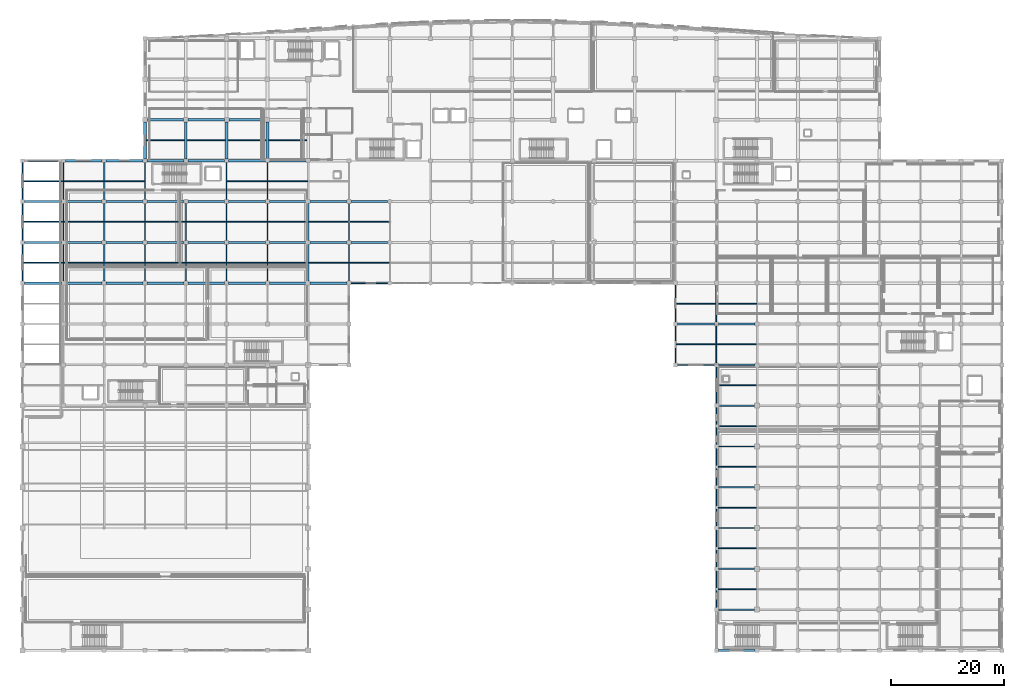
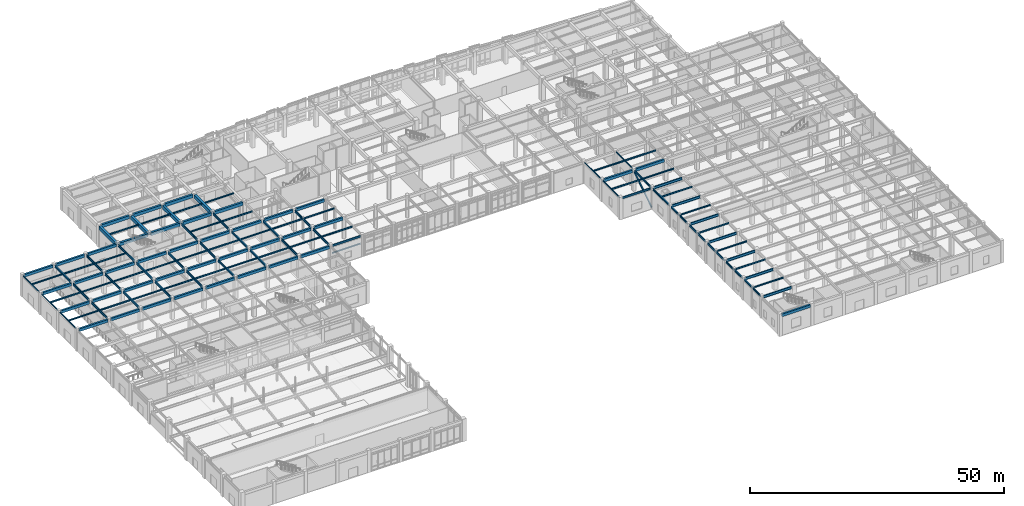
# One storey, part 22 of 102: 124 beams, 1 member.
"""IFC4 building model written with IfcOpenShell, lengths in metres."""

from ifc_helpers import new_model, si_unit, direction, frame, origin, origin_2d, place, context, subcontext, project, spatial, rectangle, hollow_rectangle, i_section, extrude, material, material_profile, profile_set, type_object, element, save


model = new_model("IFC4")

# Units and contexts
model_context = context("Model", 3, precision=1e-05, world=origin(), true_north=direction((0.0, 1.0)))
body_context = subcontext(model_context, "Body", "Model", "MODEL_VIEW")
ifc_project = project(units=[si_unit("LENGTHUNIT", "METRE"), si_unit("AREAUNIT", "SQUARE_METRE"), si_unit("VOLUMEUNIT", "CUBIC_METRE"), si_unit("PLANEANGLEUNIT", "RADIAN"), si_unit("MASSUNIT", "GRAM", prefix="KILO")], contexts=[model_context])

# Site, building, storey
site_placement = place(None, origin())
site = spatial("IfcSite", under=ifc_project, at=site_placement, CompositionType="ELEMENT")
building_placement = place(site_placement, origin())
building = spatial("IfcBuilding", under=site, at=building_placement, Name="Carrowvane Square Congress Hotel", CompositionType="ELEMENT")
storey_placement = place(building_placement, origin())
storey = spatial("IfcBuildingStorey", under=building, at=storey_placement, Name="L00", CompositionType="ELEMENT", Elevation=0.0)

# Beams
ifc_material_1 = material(Name="Steel S355", Category="steel")
ifc_material_profile_1 = material_profile(ifc_material_1, i_section(OverallWidth=0.165771484375, OverallDepth=0.306640625, WebThickness=0.006591796875, FlangeThickness=0.01171875, FilletRadius=0.0087890625, at=origin_2d()), Name="UKB 305x165x46")
ifc_profile_set_1 = profile_set([ifc_material_profile_1], Name="Steel S355")
beam_type_1 = type_object("IfcBeamType", Name="BM-LNT-1", PredefinedType="LINTEL", material=ifc_profile_set_1)
beam_1_placement = place(storey_placement, frame((69.550048828125, 70.199951171875, 3.10009765625), z_axis=(1.0, 0.0, 0.0), x_axis=(0.0, 1.0, 0.0)))
element("IfcBeam", 1, at=beam_1_placement, inside=storey, type_object=beam_type_1, Name="L00 passage portal steel lintel 1", PredefinedType="LINTEL", context=body_context, shape_type="SweptSolid", body=[
    extrude(i_section(OverallWidth=0.165771484375, OverallDepth=0.306640625, WebThickness=0.006591796875, FlangeThickness=0.01171875, FilletRadius=0.0087890625, at=origin_2d()), origin(), (0.0, 0.0, 1.0), 6.5),
])
ifc_material_2 = material(Name="Concrete C35/45", Category="concrete")
ifc_material_profile_2 = material_profile(ifc_material_2, rectangle(XDim=0.39990234375, YDim=0.64990234375, at=origin_2d()), Name="RC 400x650")
ifc_profile_set_2 = profile_set([ifc_material_profile_2], Name="Concrete C35/45")
beam_type_2 = type_object("IfcBeamType", Name="BM-RC-400x650", PredefinedType="BEAM", material=ifc_profile_set_2)
for number, where, z_axis, x_axis, name in (
    (2, (127.14990234375, 63.0, 4.77490234375), (1.0, 0.0, 0.0), (0.0, 1.0, 0.0), "L01 girder J/17-18"),
    (3, (134.35009765625, 63.0, 4.77490234375), (1.0, 0.0, 0.0), (0.0, 1.0, 0.0), "L01 girder J/18-19"),
    (4, (11.949951171875, 70.199951171875, 4.77490234375), (1.0, 0.0, 0.0), (0.0, 1.0, 0.0), "L01 girder K/1-2"),
    (5, (19.14990234375, 70.199951171875, 4.77490234375), (1.0, 0.0, 0.0), (0.0, 1.0, 0.0), "L01 girder K/2-3"),
    (6, (26.35009765625, 70.199951171875, 4.77490234375), (1.0, 0.0, 0.0), (0.0, 1.0, 0.0), "L01 girder K/3-4"),
    (7, (33.550048828125, 70.199951171875, 4.77490234375), (1.0, 0.0, 0.0), (0.0, 1.0, 0.0), "L01 girder K/4-5"),
    (8, (40.75, 70.199951171875, 4.77490234375), (1.0, 0.0, 0.0), (0.0, 1.0, 0.0), "L01 girder K/5-6"),
    (9, (47.949951171875, 70.199951171875, 4.77490234375), (1.0, 0.0, 0.0), (0.0, 1.0, 0.0), "L01 girder K/6-7"),
    (10, (55.14990234375, 70.199951171875, 4.77490234375), (1.0, 0.0, 0.0), (0.0, 1.0, 0.0), "L01 girder K/7-8"),
    (11, (62.35009765625, 70.199951171875, 4.77490234375), (1.0, 0.0, 0.0), (0.0, 1.0, 0.0), "L01 girder K/8-9"),
    (12, (11.949951171875, 77.39990234375, 4.77490234375), (1.0, 0.0, 0.0), (0.0, 1.0, 0.0), "L01 girder L/1-2"),
    (13, (19.14990234375, 77.39990234375, 4.77490234375), (1.0, 0.0, 0.0), (0.0, 1.0, 0.0), "L01 girder L/2-3"),
    (14, (26.35009765625, 77.39990234375, 4.77490234375), (1.0, 0.0, 0.0), (0.0, 1.0, 0.0), "L01 girder L/3-4"),
    (15, (33.550048828125, 77.39990234375, 4.77490234375), (1.0, 0.0, 0.0), (0.0, 1.0, 0.0), "L01 girder L/4-5"),
    (16, (40.75, 77.39990234375, 4.77490234375), (1.0, 0.0, 0.0), (0.0, 1.0, 0.0), "L01 girder L/5-6"),
    (17, (47.949951171875, 77.39990234375, 4.77490234375), (1.0, 0.0, 0.0), (0.0, 1.0, 0.0), "L01 girder L/6-7"),
    (18, (55.14990234375, 77.39990234375, 4.77490234375), (1.0, 0.0, 0.0), (0.0, 1.0, 0.0), "L01 girder L/7-8"),
    (19, (62.35009765625, 77.39990234375, 4.77490234375), (1.0, 0.0, 0.0), (0.0, 1.0, 0.0), "L01 girder L/8-9"),
):
    element("IfcBeam", number, at=place(storey_placement, frame(where, z_axis=z_axis, x_axis=x_axis)), inside=storey, type_object=beam_type_2, Name=name, PredefinedType="BEAM", context=body_context, shape_type="SweptSolid", body=[
        extrude(rectangle(XDim=0.39990234375, YDim=0.64990234375, at=origin_2d()), origin(), (0.0, 0.0, 1.0), 6.5),
    ])
beam_2_placement = place(storey_placement, frame((69.550048828125, 77.39990234375, 4.77490234375), z_axis=(1.0, 0.0, 0.0), x_axis=(0.0, 1.0, 0.0)))
element("IfcBeam", 20, at=beam_2_placement, inside=storey, type_object=beam_type_2, Name="L01 girder L/9-10", PredefinedType="BEAM", context=body_context, shape_type="SweptSolid", body=[
    extrude(rectangle(XDim=0.39990234375, YDim=0.64990234375, at=origin_2d()), origin(), (0.0, 0.0, 1.0), 6.474853515625),
])
for number, where, z_axis, x_axis, name in (
    (21, (11.949951171875, 84.60009765625, 4.77490234375), (1.0, 0.0, 0.0), (0.0, 1.0, 0.0), "L01 girder M/1-2"),
    (22, (19.14990234375, 84.60009765625, 4.77490234375), (1.0, 0.0, 0.0), (0.0, 1.0, 0.0), "L01 girder M/2-3"),
    (23, (26.35009765625, 84.60009765625, 4.77490234375), (1.0, 0.0, 0.0), (0.0, 1.0, 0.0), "L01 girder M/3-4"),
    (24, (33.550048828125, 84.60009765625, 4.77490234375), (1.0, 0.0, 0.0), (0.0, 1.0, 0.0), "L01 girder M/4-5"),
    (25, (40.75, 84.60009765625, 4.77490234375), (1.0, 0.0, 0.0), (0.0, 1.0, 0.0), "L01 girder M/5-6"),
    (26, (47.949951171875, 84.60009765625, 4.77490234375), (1.0, 0.0, 0.0), (0.0, 1.0, 0.0), "L01 girder M/6-7"),
    (27, (55.14990234375, 84.60009765625, 4.77490234375), (1.0, 0.0, 0.0), (0.0, 1.0, 0.0), "L01 girder M/7-8"),
    (28, (62.35009765625, 84.60009765625, 4.77490234375), (1.0, 0.0, 0.0), (0.0, 1.0, 0.0), "L01 girder M/8-9"),
):
    element("IfcBeam", number, at=place(storey_placement, frame(where, z_axis=z_axis, x_axis=x_axis)), inside=storey, type_object=beam_type_2, Name=name, PredefinedType="BEAM", context=body_context, shape_type="SweptSolid", body=[
        extrude(rectangle(XDim=0.39990234375, YDim=0.64990234375, at=origin_2d()), origin(), (0.0, 0.0, 1.0), 6.5),
    ])
beam_3_placement = place(storey_placement, frame((69.550048828125, 84.60009765625, 4.77490234375), z_axis=(1.0, 0.0, 0.0), x_axis=(0.0, 1.0, 0.0)))
element("IfcBeam", 29, at=beam_3_placement, inside=storey, type_object=beam_type_2, Name="L01 girder M/9-10", PredefinedType="BEAM", context=body_context, shape_type="SweptSolid", body=[
    extrude(rectangle(XDim=0.39990234375, YDim=0.64990234375, at=origin_2d()), origin(), (0.0, 0.0, 1.0), 6.474853515625),
])
for number, where, z_axis, x_axis, name in (
    (30, (11.949951171875, 91.800048828125, 4.77490234375), (1.0, 0.0, 0.0), (0.0, 1.0, 0.0), "L01 girder N/1-2"),
    (31, (19.14990234375, 91.800048828125, 4.77490234375), (1.0, 0.0, 0.0), (0.0, 1.0, 0.0), "L01 girder N/2-3"),
    (32, (26.35009765625, 91.800048828125, 4.77490234375), (1.0, 0.0, 0.0), (0.0, 1.0, 0.0), "L01 girder N/3-4"),
):
    element("IfcBeam", number, at=place(storey_placement, frame(where, z_axis=z_axis, x_axis=x_axis)), inside=storey, type_object=beam_type_2, Name=name, PredefinedType="BEAM", context=body_context, shape_type="SweptSolid", body=[
        extrude(rectangle(XDim=0.39990234375, YDim=0.64990234375, at=origin_2d()), origin(), (0.0, 0.0, 1.0), 6.5),
    ])
ifc_material_3 = material(Name="Concrete C35/45", Category="concrete")
ifc_material_profile_3 = material_profile(ifc_material_3, rectangle(XDim=0.449951171875, YDim=0.75, at=origin_2d()), Name="RC 450x750")
ifc_profile_set_3 = profile_set([ifc_material_profile_3], Name="Concrete C35/45")
beam_type_3 = type_object("IfcBeamType", Name="BM-RC-450x750", PredefinedType="USERDEFINED", material=ifc_profile_set_3)
for number, where, z_axis, x_axis, name in (
    (33, (33.550048828125, 91.800048828125, 4.72509765625), (1.0, 0.0, 0.0), (0.0, 1.0, 0.0), "L01 girder N/4-5"),
    (34, (40.75, 91.800048828125, 4.72509765625), (1.0, 0.0, 0.0), (0.0, 1.0, 0.0), "L01 girder N/5-6"),
    (35, (47.949951171875, 91.800048828125, 4.72509765625), (1.0, 0.0, 0.0), (0.0, 1.0, 0.0), "L01 girder N/6-7"),
    (36, (55.14990234375, 91.800048828125, 4.72509765625), (1.0, 0.0, 0.0), (0.0, 1.0, 0.0), "L01 girder N/7-8"),
):
    element("IfcBeam", number, at=place(storey_placement, frame(where, z_axis=z_axis, x_axis=x_axis)), inside=storey, type_object=beam_type_3, Name=name, ObjectType="GIRDER", PredefinedType="USERDEFINED", context=body_context, shape_type="SweptSolid", body=[
        extrude(rectangle(XDim=0.449951171875, YDim=0.75, at=origin_2d()), origin(), (0.0, 0.0, 1.0), 6.5),
    ])
for number, where, z_axis, x_axis, name in (
    (37, (33.60009765625, 99.0, 4.72509765625), (1.0, 0.0, 0.0), (0.0, 1.0, 0.0), "L01 girder P/4-5"),
    (38, (40.800048828125, 99.0, 4.72509765625), (1.0, 0.0, 0.0), (0.0, 1.0, 0.0), "L01 girder P/5-6"),
    (39, (48.0, 99.0, 4.72509765625), (1.0, 0.0, 0.0), (0.0, 1.0, 0.0), "L01 girder P/6-7"),
):
    element("IfcBeam", number, at=place(storey_placement, frame(where, z_axis=z_axis, x_axis=x_axis)), inside=storey, type_object=beam_type_3, Name=name, ObjectType="GIRDER", PredefinedType="USERDEFINED", context=body_context, shape_type="SweptSolid", body=[
        extrude(rectangle(XDim=0.449951171875, YDim=0.75, at=origin_2d()), origin(), (0.0, 0.0, 1.0), 6.39990234375),
    ])
ifc_material_4 = material(Name="Concrete C35/45", Category="concrete")
ifc_material_profile_4 = material_profile(ifc_material_4, rectangle(XDim=0.5, YDim=0.85009765625, at=origin_2d()), Name="RC 500x850")
ifc_profile_set_4 = profile_set([ifc_material_profile_4], Name="Concrete C35/45")
beam_type_4 = type_object("IfcBeamType", Name="BM-RC-500x850", PredefinedType="USERDEFINED", material=ifc_profile_set_4)
for number, where, z_axis, x_axis, name in (
    (40, (33.199951171875, 92.14990234375, 4.675048828125), (0.0, 1.0, 0.0), (-1.0, 0.0, 0.0), "L01 girder 4/N-P"),
    (41, (40.39990234375, 92.14990234375, 4.675048828125), (0.0, 1.0, 0.0), (-1.0, 0.0, 0.0), "L01 girder 5/N-P"),
    (42, (47.60009765625, 92.14990234375, 4.675048828125), (0.0, 1.0, 0.0), (-1.0, 0.0, 0.0), "L01 girder 6/N-P"),
    (43, (54.800048828125, 92.14990234375, 4.675048828125), (0.0, 1.0, 0.0), (-1.0, 0.0, 0.0), "L01 girder 7/N-P"),
):
    element("IfcBeam", number, at=place(storey_placement, frame(where, z_axis=z_axis, x_axis=x_axis)), inside=storey, type_object=beam_type_4, Name=name, ObjectType="GIRDER", PredefinedType="USERDEFINED", context=body_context, shape_type="SweptSolid", body=[
        extrude(rectangle(XDim=0.5, YDim=0.85009765625, at=origin_2d()), origin(), (0.0, 0.0, 1.0), 6.4501953125),
    ])
ifc_material_5 = material(Name="Steel S355", Category="steel")
ifc_material_profile_5 = material_profile(ifc_material_5, hollow_rectangle(XDim=0.14990234375, YDim=0.25, WallThickness=0.012451171875, at=origin_2d()), Name="RHS 250x150x12.5")
ifc_profile_set_5 = profile_set([ifc_material_profile_5], Name="Steel S355")
beam_type_5 = type_object("IfcBeamType", Name="BM-ST-RHS250", PredefinedType="SPANDREL", material=ifc_profile_set_5)
for number, where, z_axis, x_axis, name in (
    (44, (11.60009765625, 70.550048828125, 4.97509765625), (0.0, 1.0, 0.0), (-1.0, 0.0, 0.0), "L01 girder 1/K-L"),
    (45, (11.60009765625, 77.75, 4.97509765625), (0.0, 1.0, 0.0), (-1.0, 0.0, 0.0), "L01 girder 1/L-M"),
    (46, (11.60009765625, 84.949951171875, 4.97509765625), (0.0, 1.0, 0.0), (-1.0, 0.0, 0.0), "L01 girder 1/M-N"),
    (47, (126.800048828125, 56.14990234375, 4.97509765625), (0.0, 1.0, 0.0), (-1.0, 0.0, 0.0), "L01 girder 17/H-J"),
    (48, (126.800048828125, 63.35009765625, 4.97509765625), (0.0, 1.0, 0.0), (-1.0, 0.0, 0.0), "L01 girder 17/J-K"),
    (49, (134.0, 63.35009765625, 4.97509765625), (0.0, 1.0, 0.0), (-1.0, 0.0, 0.0), "L01 girder 18/J-K"),
):
    element("IfcBeam", number, at=place(storey_placement, frame(where, z_axis=z_axis, x_axis=x_axis)), inside=storey, type_object=beam_type_5, Name=name, PredefinedType="SPANDREL", context=body_context, shape_type="SweptSolid", body=[
        extrude(hollow_rectangle(XDim=0.14990234375, YDim=0.25, WallThickness=0.012451171875, at=origin_2d()), origin(), (0.0, 0.0, 1.0), 6.5),
    ])
ifc_material_6 = material(Name="Steel S355", Category="steel")
ifc_material_profile_6 = material_profile(ifc_material_6, i_section(OverallWidth=0.172119140625, OverallDepth=0.35791015625, WebThickness=0.008056640625, FlangeThickness=0.012939453125, FilletRadius=0.01025390625, at=origin_2d()), Name="UKB 356x171x57")
ifc_profile_set_6 = profile_set([ifc_material_profile_6], Name="Steel S355")
beam_type_6 = type_object("IfcBeamType", Name="BM-ST-UKB356", PredefinedType="JOIST", material=ifc_profile_set_6)
for number, where, z_axis, x_axis, name in (
    (50, (11.675048828125, 73.800048828125, 4.9208984375), (1.0, 0.0, 0.0), (0.0, 1.0, 0.0), "L01 secondary joist 1-2"),
    (51, (11.675048828125, 81.0, 4.9208984375), (1.0, 0.0, 0.0), (0.0, 1.0, 0.0), "L01 secondary joist 1-2"),
    (52, (11.675048828125, 88.199951171875, 4.9208984375), (1.0, 0.0, 0.0), (0.0, 1.0, 0.0), "L01 secondary joist 1-2"),
):
    element("IfcBeam", number, at=place(storey_placement, frame(where, z_axis=z_axis, x_axis=x_axis)), inside=storey, type_object=beam_type_6, Name=name, PredefinedType="JOIST", context=body_context, shape_type="SweptSolid", body=[
        extrude(i_section(OverallWidth=0.172119140625, OverallDepth=0.35791015625, WebThickness=0.008056640625, FlangeThickness=0.012939453125, FilletRadius=0.01025390625, at=origin_2d()), origin(), (0.0, 0.0, 1.0), 7.02001953125),
    ])
for number, where, z_axis, x_axis, name in (
    (53, (18.905029296875, 73.800048828125, 4.9208984375), (1.0, 0.0, 0.0), (0.0, 1.0, 0.0), "L01 secondary joist 2-3"),
    (54, (18.905029296875, 81.0, 4.9208984375), (1.0, 0.0, 0.0), (0.0, 1.0, 0.0), "L01 secondary joist 2-3"),
    (55, (18.905029296875, 88.199951171875, 4.9208984375), (1.0, 0.0, 0.0), (0.0, 1.0, 0.0), "L01 secondary joist 2-3"),
    (56, (26.10498046875, 73.800048828125, 4.9208984375), (1.0, 0.0, 0.0), (0.0, 1.0, 0.0), "L01 secondary joist 3-4"),
    (57, (26.10498046875, 81.0, 4.9208984375), (1.0, 0.0, 0.0), (0.0, 1.0, 0.0), "L01 secondary joist 3-4"),
    (58, (26.10498046875, 88.199951171875, 4.9208984375), (1.0, 0.0, 0.0), (0.0, 1.0, 0.0), "L01 secondary joist 3-4"),
    (59, (33.304931640625, 73.800048828125, 4.9208984375), (1.0, 0.0, 0.0), (0.0, 1.0, 0.0), "L01 secondary joist 4-5"),
    (60, (33.304931640625, 81.0, 4.9208984375), (1.0, 0.0, 0.0), (0.0, 1.0, 0.0), "L01 secondary joist 4-5"),
):
    element("IfcBeam", number, at=place(storey_placement, frame(where, z_axis=z_axis, x_axis=x_axis)), inside=storey, type_object=beam_type_6, Name=name, PredefinedType="JOIST", context=body_context, shape_type="SweptSolid", body=[
        extrude(i_section(OverallWidth=0.172119140625, OverallDepth=0.35791015625, WebThickness=0.008056640625, FlangeThickness=0.012939453125, FilletRadius=0.01025390625, at=origin_2d()), origin(), (0.0, 0.0, 1.0), 6.989990234375),
    ])
beam_4_placement = place(storey_placement, frame((33.449951171875, 95.39990234375, 4.9208984375), z_axis=(1.0, 0.0, 0.0), x_axis=(0.0, 1.0, 0.0)))
element("IfcBeam", 61, at=beam_4_placement, inside=storey, type_object=beam_type_6, Name="L01 secondary joist 4-5", PredefinedType="JOIST", context=body_context, shape_type="SweptSolid", body=[
    extrude(i_section(OverallWidth=0.172119140625, OverallDepth=0.35791015625, WebThickness=0.008056640625, FlangeThickness=0.012939453125, FilletRadius=0.01025390625, at=origin_2d()), origin(), (0.0, 0.0, 1.0), 6.699951171875),
])
for number, where, z_axis, x_axis, name in (
    (62, (40.5048828125, 73.800048828125, 4.9208984375), (1.0, 0.0, 0.0), (0.0, 1.0, 0.0), "L01 secondary joist 5-6"),
    (63, (40.5048828125, 81.0, 4.9208984375), (1.0, 0.0, 0.0), (0.0, 1.0, 0.0), "L01 secondary joist 5-6"),
):
    element("IfcBeam", number, at=place(storey_placement, frame(where, z_axis=z_axis, x_axis=x_axis)), inside=storey, type_object=beam_type_6, Name=name, PredefinedType="JOIST", context=body_context, shape_type="SweptSolid", body=[
        extrude(i_section(OverallWidth=0.172119140625, OverallDepth=0.35791015625, WebThickness=0.008056640625, FlangeThickness=0.012939453125, FilletRadius=0.01025390625, at=origin_2d()), origin(), (0.0, 0.0, 1.0), 6.990234375),
    ])
beam_5_placement = place(storey_placement, frame((40.64990234375, 95.39990234375, 4.9208984375), z_axis=(1.0, 0.0, 0.0), x_axis=(0.0, 1.0, 0.0)))
element("IfcBeam", 64, at=beam_5_placement, inside=storey, type_object=beam_type_6, Name="L01 secondary joist 5-6", PredefinedType="JOIST", context=body_context, shape_type="SweptSolid", body=[
    extrude(i_section(OverallWidth=0.172119140625, OverallDepth=0.35791015625, WebThickness=0.008056640625, FlangeThickness=0.012939453125, FilletRadius=0.01025390625, at=origin_2d()), origin(), (0.0, 0.0, 1.0), 6.7001953125),
])
for number, where, z_axis, x_axis, name in (
    (65, (47.705078125, 73.800048828125, 4.9208984375), (1.0, 0.0, 0.0), (0.0, 1.0, 0.0), "L01 secondary joist 6-7"),
    (66, (47.705078125, 81.0, 4.9208984375), (1.0, 0.0, 0.0), (0.0, 1.0, 0.0), "L01 secondary joist 6-7"),
    (67, (47.705078125, 88.199951171875, 4.9208984375), (1.0, 0.0, 0.0), (0.0, 1.0, 0.0), "L01 secondary joist 6-7"),
):
    element("IfcBeam", number, at=place(storey_placement, frame(where, z_axis=z_axis, x_axis=x_axis)), inside=storey, type_object=beam_type_6, Name=name, PredefinedType="JOIST", context=body_context, shape_type="SweptSolid", body=[
        extrude(i_section(OverallWidth=0.172119140625, OverallDepth=0.35791015625, WebThickness=0.008056640625, FlangeThickness=0.012939453125, FilletRadius=0.01025390625, at=origin_2d()), origin(), (0.0, 0.0, 1.0), 6.989990234375),
    ])
beam_6_placement = place(storey_placement, frame((47.85009765625, 95.39990234375, 4.9208984375), z_axis=(1.0, 0.0, 0.0), x_axis=(0.0, 1.0, 0.0)))
element("IfcBeam", 68, at=beam_6_placement, inside=storey, type_object=beam_type_6, Name="L01 secondary joist 6-7", PredefinedType="JOIST", context=body_context, shape_type="SweptSolid", body=[
    extrude(i_section(OverallWidth=0.172119140625, OverallDepth=0.35791015625, WebThickness=0.008056640625, FlangeThickness=0.012939453125, FilletRadius=0.01025390625, at=origin_2d()), origin(), (0.0, 0.0, 1.0), 6.699951171875),
])
for number, where, z_axis, x_axis, name in (
    (69, (54.905029296875, 73.800048828125, 4.9208984375), (1.0, 0.0, 0.0), (0.0, 1.0, 0.0), "L01 secondary joist 7-8"),
    (70, (54.905029296875, 81.0, 4.9208984375), (1.0, 0.0, 0.0), (0.0, 1.0, 0.0), "L01 secondary joist 7-8"),
    (71, (54.905029296875, 88.199951171875, 4.9208984375), (1.0, 0.0, 0.0), (0.0, 1.0, 0.0), "L01 secondary joist 7-8"),
):
    element("IfcBeam", number, at=place(storey_placement, frame(where, z_axis=z_axis, x_axis=x_axis)), inside=storey, type_object=beam_type_6, Name=name, PredefinedType="JOIST", context=body_context, shape_type="SweptSolid", body=[
        extrude(i_section(OverallWidth=0.172119140625, OverallDepth=0.35791015625, WebThickness=0.008056640625, FlangeThickness=0.012939453125, FilletRadius=0.01025390625, at=origin_2d()), origin(), (0.0, 0.0, 1.0), 6.989990234375),
    ])
beam_7_placement = place(storey_placement, frame((55.050048828125, 95.39990234375, 4.9208984375), z_axis=(1.0, 0.0, 0.0), x_axis=(0.0, 1.0, 0.0)))
element("IfcBeam", 72, at=beam_7_placement, inside=storey, type_object=beam_type_6, Name="L01 secondary joist 7-8", PredefinedType="JOIST", context=body_context, shape_type="SweptSolid", body=[
    extrude(i_section(OverallWidth=0.172119140625, OverallDepth=0.35791015625, WebThickness=0.008056640625, FlangeThickness=0.012939453125, FilletRadius=0.01025390625, at=origin_2d()), origin(), (0.0, 0.0, 1.0), 6.699951171875),
])
for number, where, z_axis, x_axis, name in (
    (73, (62.10498046875, 73.800048828125, 4.9208984375), (1.0, 0.0, 0.0), (0.0, 1.0, 0.0), "L01 secondary joist 8-9"),
    (74, (62.10498046875, 81.0, 4.9208984375), (1.0, 0.0, 0.0), (0.0, 1.0, 0.0), "L01 secondary joist 8-9"),
    (75, (69.304931640625, 73.800048828125, 4.9208984375), (1.0, 0.0, 0.0), (0.0, 1.0, 0.0), "L01 secondary joist 9-10"),
    (76, (69.304931640625, 81.0, 4.9208984375), (1.0, 0.0, 0.0), (0.0, 1.0, 0.0), "L01 secondary joist 9-10"),
):
    element("IfcBeam", number, at=place(storey_placement, frame(where, z_axis=z_axis, x_axis=x_axis)), inside=storey, type_object=beam_type_6, Name=name, PredefinedType="JOIST", context=body_context, shape_type="SweptSolid", body=[
        extrude(i_section(OverallWidth=0.172119140625, OverallDepth=0.35791015625, WebThickness=0.008056640625, FlangeThickness=0.012939453125, FilletRadius=0.01025390625, at=origin_2d()), origin(), (0.0, 0.0, 1.0), 6.989990234375),
    ])
beam_8_placement = place(storey_placement, frame((126.875, 59.39990234375, 4.9208984375), z_axis=(1.0, 0.0, 0.0), x_axis=(0.0, 1.0, 0.0)))
element("IfcBeam", 77, at=beam_8_placement, inside=storey, type_object=beam_type_6, Name="L01 secondary joist 17-18", PredefinedType="JOIST", context=body_context, shape_type="SweptSolid", body=[
    extrude(i_section(OverallWidth=0.172119140625, OverallDepth=0.35791015625, WebThickness=0.008056640625, FlangeThickness=0.012939453125, FilletRadius=0.01025390625, at=origin_2d()), origin(), (0.0, 0.0, 1.0), 7.029296875),
])
beam_9_placement = place(storey_placement, frame((126.875, 66.60009765625, 4.9208984375), z_axis=(1.0, 0.0, 0.0), x_axis=(0.0, 1.0, 0.0)))
element("IfcBeam", 78, at=beam_9_placement, inside=storey, type_object=beam_type_6, Name="L01 secondary joist 17-18", PredefinedType="JOIST", context=body_context, shape_type="SweptSolid", body=[
    extrude(i_section(OverallWidth=0.172119140625, OverallDepth=0.35791015625, WebThickness=0.008056640625, FlangeThickness=0.012939453125, FilletRadius=0.01025390625, at=origin_2d()), origin(), (0.0, 0.0, 1.0), 7.050048828125),
])
for number, where, z_axis, x_axis, name in (
    (79, (134.095703125, 16.199951171875, 4.9208984375), (1.0, 0.0, 0.0), (0.0, 1.0, 0.0), "L01 secondary joist 18-19"),
    (80, (134.095703125, 23.39990234375, 4.9208984375), (1.0, 0.0, 0.0), (0.0, 1.0, 0.0), "L01 secondary joist 18-19"),
    (81, (134.095703125, 30.60009765625, 4.9208984375), (1.0, 0.0, 0.0), (0.0, 1.0, 0.0), "L01 secondary joist 18-19"),
    (82, (134.095703125, 37.800048828125, 4.9208984375), (1.0, 0.0, 0.0), (0.0, 1.0, 0.0), "L01 secondary joist 18-19"),
    (83, (134.095703125, 45.0, 4.9208984375), (1.0, 0.0, 0.0), (0.0, 1.0, 0.0), "L01 secondary joist 18-19"),
    (84, (134.095703125, 52.199951171875, 4.9208984375), (1.0, 0.0, 0.0), (0.0, 1.0, 0.0), "L01 secondary joist 18-19"),
    (85, (134.095703125, 59.39990234375, 4.9208984375), (1.0, 0.0, 0.0), (0.0, 1.0, 0.0), "L01 secondary joist 18-19"),
):
    element("IfcBeam", number, at=place(storey_placement, frame(where, z_axis=z_axis, x_axis=x_axis)), inside=storey, type_object=beam_type_6, Name=name, PredefinedType="JOIST", context=body_context, shape_type="SweptSolid", body=[
        extrude(i_section(OverallWidth=0.172119140625, OverallDepth=0.35791015625, WebThickness=0.008056640625, FlangeThickness=0.012939453125, FilletRadius=0.01025390625, at=origin_2d()), origin(), (0.0, 0.0, 1.0), 6.97705078125),
    ])
beam_10_placement = place(storey_placement, frame((134.074951171875, 66.60009765625, 4.9208984375), z_axis=(1.0, 0.0, 0.0), x_axis=(0.0, 1.0, 0.0)))
element("IfcBeam", 86, at=beam_10_placement, inside=storey, type_object=beam_type_6, Name="L01 secondary joist 18-19", PredefinedType="JOIST", context=body_context, shape_type="SweptSolid", body=[
    extrude(i_section(OverallWidth=0.172119140625, OverallDepth=0.35791015625, WebThickness=0.008056640625, FlangeThickness=0.012939453125, FilletRadius=0.01025390625, at=origin_2d()), origin(), (0.0, 0.0, 1.0), 7.02001953125),
])
ifc_material_7 = material(Name="Steel S355", Category="steel")
ifc_material_profile_7 = material_profile(ifc_material_7, i_section(OverallWidth=0.19140625, OverallDepth=0.4599609375, WebThickness=0.010009765625, FlangeThickness=0.01611328125, FilletRadius=0.01025390625, at=origin_2d()), Name="UKB 457x191x82")
ifc_profile_set_7 = profile_set([ifc_material_profile_7], Name="Steel S355")
beam_type_7 = type_object("IfcBeamType", Name="BM-ST-UKB457", PredefinedType="SPANDREL", material=ifc_profile_set_7)
beam_11_placement = place(storey_placement, frame((127.14990234375, 55.800048828125, 4.8701171875), z_axis=(1.0, 0.0, 0.0), x_axis=(0.0, 1.0, 0.0)))
element("IfcBeam", 87, at=beam_11_placement, inside=storey, type_object=beam_type_7, Name="L01 girder H/17-18", PredefinedType="SPANDREL", context=body_context, shape_type="SweptSolid", body=[
    extrude(i_section(OverallWidth=0.19140625, OverallDepth=0.4599609375, WebThickness=0.010009765625, FlangeThickness=0.01611328125, FilletRadius=0.01025390625, at=origin_2d()), origin(), (0.0, 0.0, 1.0), 6.5),
])
beam_12_placement = place(storey_placement, frame((69.550048828125, 70.199951171875, 4.8701171875), z_axis=(1.0, 0.0, 0.0), x_axis=(0.0, 1.0, 0.0)))
element("IfcBeam", 88, at=beam_12_placement, inside=storey, type_object=beam_type_7, Name="L01 girder K/9-10", PredefinedType="SPANDREL", context=body_context, shape_type="SweptSolid", body=[
    extrude(i_section(OverallWidth=0.19140625, OverallDepth=0.4599609375, WebThickness=0.010009765625, FlangeThickness=0.01611328125, FilletRadius=0.01025390625, at=origin_2d()), origin(), (0.0, 0.0, 1.0), 6.474853515625),
])
for number, where, z_axis, x_axis, name in (
    (89, (134.0, 12.949951171875, 4.8701171875), (0.0, 1.0, 0.0), (-1.0, 0.0, 0.0), "L01 girder 18/B-C"),
    (90, (134.0, 20.14990234375, 4.8701171875), (0.0, 1.0, 0.0), (-1.0, 0.0, 0.0), "L01 girder 18/C-D"),
    (91, (134.0, 27.35009765625, 4.8701171875), (0.0, 1.0, 0.0), (-1.0, 0.0, 0.0), "L01 girder 18/D-E"),
    (92, (134.0, 34.550048828125, 4.8701171875), (0.0, 1.0, 0.0), (-1.0, 0.0, 0.0), "L01 girder 18/E-F"),
    (93, (134.0, 41.75, 4.8701171875), (0.0, 1.0, 0.0), (-1.0, 0.0, 0.0), "L01 girder 18/F-G"),
    (94, (134.0, 48.949951171875, 4.8701171875), (0.0, 1.0, 0.0), (-1.0, 0.0, 0.0), "L01 girder 18/G-H"),
    (95, (134.0, 56.14990234375, 4.8701171875), (0.0, 1.0, 0.0), (-1.0, 0.0, 0.0), "L01 girder 18/H-J"),
):
    element("IfcBeam", number, at=place(storey_placement, frame(where, z_axis=z_axis, x_axis=x_axis)), inside=storey, type_object=beam_type_7, Name=name, PredefinedType="SPANDREL", context=body_context, shape_type="SweptSolid", body=[
        extrude(i_section(OverallWidth=0.19140625, OverallDepth=0.4599609375, WebThickness=0.010009765625, FlangeThickness=0.01611328125, FilletRadius=0.01025390625, at=origin_2d()), origin(), (0.0, 0.0, 1.0), 6.5),
    ])
ifc_material_8 = material(Name="Steel S355", Category="steel")
ifc_material_profile_8 = material_profile(ifc_material_8, i_section(OverallWidth=0.2099609375, OverallDepth=0.53662109375, WebThickness=0.0107421875, FlangeThickness=0.017333984375, FilletRadius=0.0126953125, at=origin_2d()), Name="UKB 533x210x101")
ifc_profile_set_8 = profile_set([ifc_material_profile_8], Name="Steel S355")
beam_type_8 = type_object("IfcBeamType", Name="BM-ST-UKB533", PredefinedType="USERDEFINED", material=ifc_profile_set_8)
for number, where, z_axis, x_axis, name in (
    (96, (18.800048828125, 70.550048828125, 4.83154296875), (0.0, 1.0, 0.0), (-1.0, 0.0, 0.0), "L01 girder 2/K-L"),
    (97, (18.800048828125, 77.75, 4.83154296875), (0.0, 1.0, 0.0), (-1.0, 0.0, 0.0), "L01 girder 2/L-M"),
    (98, (18.800048828125, 84.949951171875, 4.83154296875), (0.0, 1.0, 0.0), (-1.0, 0.0, 0.0), "L01 girder 2/M-N"),
    (99, (26.0, 70.550048828125, 4.83154296875), (0.0, 1.0, 0.0), (-1.0, 0.0, 0.0), "L01 girder 3/K-L"),
    (100, (26.0, 77.75, 4.83154296875), (0.0, 1.0, 0.0), (-1.0, 0.0, 0.0), "L01 girder 3/L-M"),
    (101, (26.0, 84.949951171875, 4.83154296875), (0.0, 1.0, 0.0), (-1.0, 0.0, 0.0), "L01 girder 3/M-N"),
    (102, (33.199951171875, 70.550048828125, 4.83154296875), (0.0, 1.0, 0.0), (-1.0, 0.0, 0.0), "L01 girder 4/K-L"),
    (103, (33.199951171875, 77.75, 4.83154296875), (0.0, 1.0, 0.0), (-1.0, 0.0, 0.0), "L01 girder 4/L-M"),
    (104, (33.199951171875, 84.949951171875, 4.83154296875), (0.0, 1.0, 0.0), (-1.0, 0.0, 0.0), "L01 girder 4/M-N"),
    (105, (40.39990234375, 70.550048828125, 4.83154296875), (0.0, 1.0, 0.0), (-1.0, 0.0, 0.0), "L01 girder 5/K-L"),
    (106, (40.39990234375, 77.75, 4.83154296875), (0.0, 1.0, 0.0), (-1.0, 0.0, 0.0), "L01 girder 5/L-M"),
    (107, (47.60009765625, 70.550048828125, 4.83154296875), (0.0, 1.0, 0.0), (-1.0, 0.0, 0.0), "L01 girder 6/K-L"),
    (108, (47.60009765625, 77.75, 4.83154296875), (0.0, 1.0, 0.0), (-1.0, 0.0, 0.0), "L01 girder 6/L-M"),
    (109, (47.60009765625, 84.949951171875, 4.83154296875), (0.0, 1.0, 0.0), (-1.0, 0.0, 0.0), "L01 girder 6/M-N"),
    (110, (54.800048828125, 70.550048828125, 4.83154296875), (0.0, 1.0, 0.0), (-1.0, 0.0, 0.0), "L01 girder 7/K-L"),
    (111, (54.800048828125, 77.75, 4.83154296875), (0.0, 1.0, 0.0), (-1.0, 0.0, 0.0), "L01 girder 7/L-M"),
    (112, (54.800048828125, 84.949951171875, 4.83154296875), (0.0, 1.0, 0.0), (-1.0, 0.0, 0.0), "L01 girder 7/M-N"),
    (113, (62.0, 70.550048828125, 4.83154296875), (0.0, 1.0, 0.0), (-1.0, 0.0, 0.0), "L01 girder 8/K-L"),
    (114, (62.0, 77.75, 4.83154296875), (0.0, 1.0, 0.0), (-1.0, 0.0, 0.0), "L01 girder 8/L-M"),
    (115, (69.199951171875, 70.550048828125, 4.83154296875), (0.0, 1.0, 0.0), (-1.0, 0.0, 0.0), "L01 girder 9/K-L"),
    (116, (69.199951171875, 77.75, 4.83154296875), (0.0, 1.0, 0.0), (-1.0, 0.0, 0.0), "L01 girder 9/L-M"),
):
    element("IfcBeam", number, at=place(storey_placement, frame(where, z_axis=z_axis, x_axis=x_axis)), inside=storey, type_object=beam_type_8, Name=name, ObjectType="GIRDER", PredefinedType="USERDEFINED", context=body_context, shape_type="SweptSolid", body=[
        extrude(i_section(OverallWidth=0.2099609375, OverallDepth=0.53662109375, WebThickness=0.0107421875, FlangeThickness=0.017333984375, FilletRadius=0.0126953125, at=origin_2d()), origin(), (0.0, 0.0, 1.0), 6.5),
    ])
ifc_material_9 = material(Name="Steel S355", Category="steel")
ifc_material_profile_9 = material_profile(ifc_material_9, i_section(OverallWidth=0.22900390625, OverallDepth=0.6123046875, WebThickness=0.011962890625, FlangeThickness=0.01953125, FilletRadius=0.0126953125, at=origin_2d()), Name="UKB 610x229x125")
ifc_profile_set_9 = profile_set([ifc_material_profile_9], Name="Steel S355")
beam_type_9 = type_object("IfcBeamType", Name="BM-ST-UKB610A", PredefinedType="USERDEFINED", material=ifc_profile_set_9)
for number, where, z_axis, x_axis, name in (
    (117, (134.35009765625, 12.60009765625, 4.7939453125), (1.0, 0.0, 0.0), (0.0, 1.0, 0.0), "L01 girder B/18-19"),
    (118, (134.35009765625, 19.800048828125, 4.7939453125), (1.0, 0.0, 0.0), (0.0, 1.0, 0.0), "L01 girder C/18-19"),
    (119, (134.35009765625, 27.0, 4.7939453125), (1.0, 0.0, 0.0), (0.0, 1.0, 0.0), "L01 girder D/18-19"),
    (120, (134.35009765625, 34.199951171875, 4.7939453125), (1.0, 0.0, 0.0), (0.0, 1.0, 0.0), "L01 girder E/18-19"),
    (121, (134.35009765625, 41.39990234375, 4.7939453125), (1.0, 0.0, 0.0), (0.0, 1.0, 0.0), "L01 girder F/18-19"),
    (122, (134.35009765625, 48.60009765625, 4.7939453125), (1.0, 0.0, 0.0), (0.0, 1.0, 0.0), "L01 girder G/18-19"),
):
    element("IfcBeam", number, at=place(storey_placement, frame(where, z_axis=z_axis, x_axis=x_axis)), inside=storey, type_object=beam_type_9, Name=name, ObjectType="GIRDER", PredefinedType="USERDEFINED", context=body_context, shape_type="SweptSolid", body=[
        extrude(i_section(OverallWidth=0.22900390625, OverallDepth=0.6123046875, WebThickness=0.011962890625, FlangeThickness=0.01953125, FilletRadius=0.0126953125, at=origin_2d()), origin(), (0.0, 0.0, 1.0), 6.39990234375),
    ])
beam_13_placement = place(storey_placement, frame((134.35009765625, 55.800048828125, 4.7939453125), z_axis=(1.0, 0.0, 0.0), x_axis=(0.0, 1.0, 0.0)))
element("IfcBeam", 123, at=beam_13_placement, inside=storey, type_object=beam_type_9, Name="L01 girder H/18-19", ObjectType="GIRDER", PredefinedType="USERDEFINED", context=body_context, shape_type="SweptSolid", body=[
    extrude(i_section(OverallWidth=0.22900390625, OverallDepth=0.6123046875, WebThickness=0.011962890625, FlangeThickness=0.01953125, FilletRadius=0.0126953125, at=origin_2d()), origin(), (0.0, 0.0, 1.0), 6.5),
])

# Member
ifc_material_10 = material(Name="Steel S355", Category="steel")
ifc_material_profile_10 = material_profile(ifc_material_10, hollow_rectangle(XDim=0.25, YDim=0.25, WallThickness=0.01611328125, at=origin_2d()), Name="SHS 250x250x16")
ifc_profile_set_10 = profile_set([ifc_material_profile_10], Name="Steel S355")
member_type = type_object("IfcMemberType", Name="MEM-BR-SHS250", PredefinedType="BRACE", material=ifc_profile_set_10)
member_placement = place(storey_placement, frame((134.0, 55.919921875, 0.14990234375), z_axis=(0.0, 0.839762940478, 0.542953224319), x_axis=(-1.0, 0.0, 0.0)))
element("IfcMember", 124, at=member_placement, inside=storey, type_object=member_type, Name="L00 vertical lateral brace 4", PredefinedType="BRACE", context=body_context, shape_type="SweptSolid", body=[
    extrude(hollow_rectangle(XDim=0.25, YDim=0.25, WallThickness=0.01611328125, at=origin_2d()), origin(), (0.0, 0.0, 1.0), 8.2880859375),
])

# Beam
ifc_material_11 = material(Name="Concrete C35/45", Category="concrete")
ifc_material_profile_11 = material_profile(ifc_material_11, rectangle(XDim=0.39990234375, YDim=0.64990234375, at=origin_2d()), Name="RC 400x650")
ifc_profile_set_11 = profile_set([ifc_material_profile_11], Name="Concrete C35/45")
beam_type_10 = type_object("IfcBeamType", Name="SP-RC-400x650", PredefinedType="SPANDREL", material=ifc_profile_set_11)
beam_14_placement = place(storey_placement, frame((134.35009765625, 5.39990234375, 4.77490234375), z_axis=(1.0, 0.0, 0.0), x_axis=(0.0, 1.0, 0.0)))
element("IfcBeam", 125, at=beam_14_placement, inside=storey, type_object=beam_type_10, Name="L01 girder A/18-19", PredefinedType="SPANDREL", context=body_context, shape_type="SweptSolid", body=[
    extrude(rectangle(XDim=0.39990234375, YDim=0.64990234375, at=origin_2d()), origin(), (0.0, 0.0, 1.0), 6.5),
])

save(model, "model.ifc")
